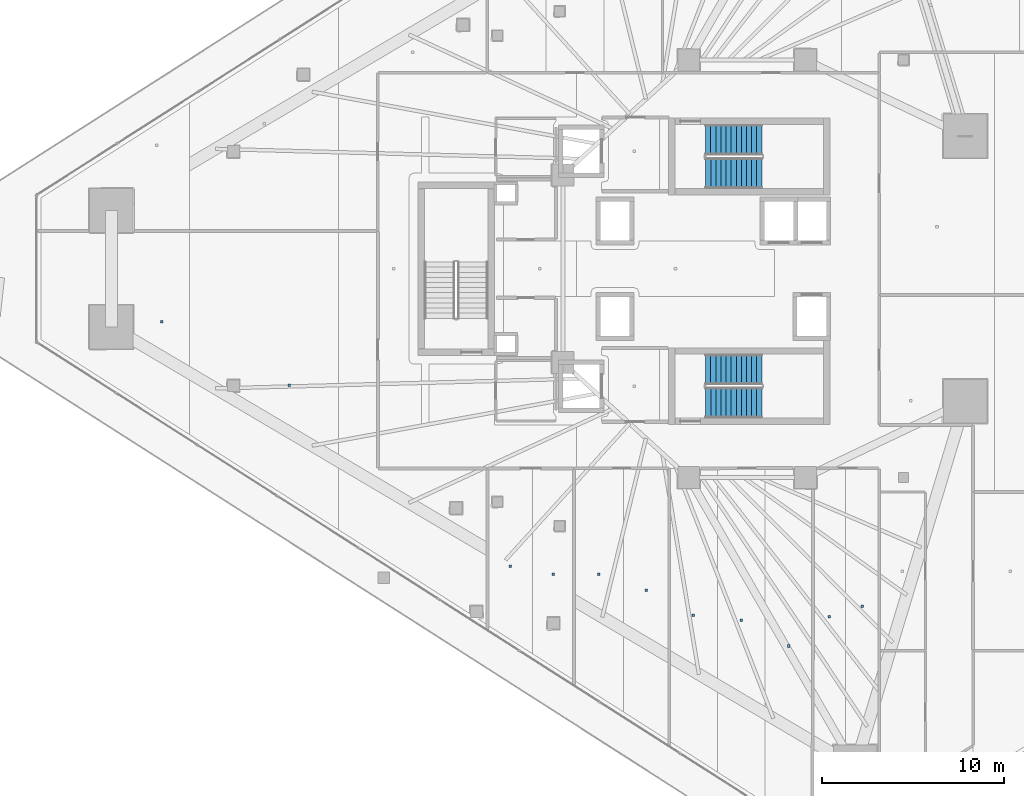
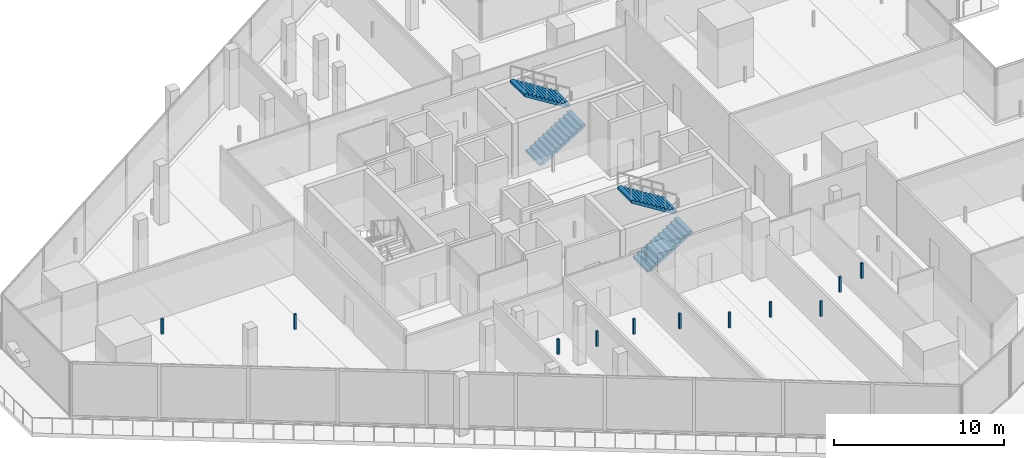
# One storey, part 31 of 44: 11 discrete accessories, 4 stair flights, 2 elements without a shape of their own.
"""IFC4 building model written with IfcOpenShell, lengths in metres."""

from ifc_helpers import new_model, si_unit, direction, frame, origin, origin_2d, place, context, subcontext, project, spatial, polyline, rectangle, outline, extrude, material, layer, layer_set, type_object, element, aggregate, save


model = new_model("IFC4")

# Units and contexts
model_context = context("Model", 3, precision=1e-05, world=origin(), true_north=direction((0.0, 1.0)))
body_context = subcontext(model_context, "Body", "Model", "MODEL_VIEW")
ifc_project = project(units=[si_unit("LENGTHUNIT", "METRE"), si_unit("AREAUNIT", "SQUARE_METRE"), si_unit("VOLUMEUNIT", "CUBIC_METRE"), si_unit("PLANEANGLEUNIT", "RADIAN"), si_unit("MASSUNIT", "GRAM", prefix="KILO")], contexts=[model_context])

# Site, building, storey
site_placement = place(None, origin())
site = spatial("IfcSite", under=ifc_project, at=site_placement, CompositionType="ELEMENT")
building_placement = place(site_placement, origin())
building = spatial("IfcBuilding", under=site, at=building_placement, Name="Qorvath Tower", CompositionType="ELEMENT")
storey_placement = place(building_placement, frame((0.0, 0.0, 78.60009765625)))
storey = spatial("IfcBuildingStorey", under=building, at=storey_placement, Name="L17", CompositionType="ELEMENT", Elevation=78.60009765625)

# Stair, stair flights
ifc_material_1 = material(Name="Concrete C50/60", Category="concrete")
stair_type = type_object("IfcStairType", Name="ST-H420", PredefinedType="HALF_TURN_STAIR", material=ifc_material_1)
stair_1_placement = place(storey_placement, origin())
stair_1 = element("IfcStair", 1, at=stair_1_placement, inside=storey, type_object=stair_type, Name="L17 Tower Exit Stair 1", PredefinedType="HALF_TURN_STAIR")
ifc_material_2 = material(Name="Concrete C50/60", Category="concrete")
ifc_layer = layer(ifc_material_2, 0.14990234375)
ifc_layer_set = layer_set([ifc_layer], Name="SF-H420")
stair_flight_type = type_object("IfcStairFlightType", Name="SF-H420", PredefinedType="STRAIGHT", material=ifc_layer_set)
stair_flight_1_placement = place(storey_placement, frame((-22.669921875, 5.239990234375, 0.0), z_axis=(0.0, 0.0, 1.0), x_axis=(1.0, 0.0, 0.0)))
stair_flight_1 = element("IfcStairFlight", 2, at=stair_flight_1_placement, type_object=stair_flight_type, Name="TS1 flight 1", NumberOfRisers=12, NumberOfTreads=11, PredefinedType="STRAIGHT", RiserHeight=0.175, TreadLength=0.28, context=body_context, shape_type="SweptSolid", body=[
    extrude(outline(polyline([(0.0, 0.0), (0.0, 0.175048828125), (0.280029296875, 0.175048828125), (0.280029296875, 0.35009765625), (0.56005859375, 0.35009765625), (0.56005859375, 0.52490234375), (0.840087890625, 0.52490234375), (0.840087890625, 0.699951171875), (1.1201171875, 0.699951171875), (1.1201171875, 0.875), (1.39990234375, 0.875), (1.39990234375, 1.050048828125), (1.679931640625, 1.050048828125), (1.679931640625, 1.22509765625), (1.9599609375, 1.22509765625), (1.9599609375, 1.39990234375), (2.239990234375, 1.39990234375), (2.239990234375, 1.574951171875), (2.52001953125, 1.574951171875), (2.52001953125, 1.75), (2.800048828125, 1.75), (2.800048828125, 1.925048828125), (3.080078125, 1.925048828125), (3.080078125, 2.10009765625), (3.080078125, 1.748291015625), (0.28271484375, 0.0), (0.0, 0.0)])), frame((0.0, 0.83984375, 0.0), z_axis=(0.0, -1.0, 0.0), x_axis=(1.0, 0.0, 0.0)), (0.0, 0.0, 1.0), 1.679931640625),
])
stair_flight_2_placement = place(storey_placement, frame((-19.590087890625, 7.070068359375, 2.099853515625), z_axis=(0.0, 0.0, 1.0), x_axis=(-1.0, 0.0, 0.0)))
stair_flight_2 = element("IfcStairFlight", 3, at=stair_flight_2_placement, type_object=stair_flight_type, Name="TS1 flight 2", NumberOfRisers=12, NumberOfTreads=11, PredefinedType="STRAIGHT", RiserHeight=0.175, TreadLength=0.28, context=body_context, shape_type="SweptSolid", body=[
    extrude(outline(polyline([(0.0, 0.0), (0.0, 0.175048828125), (0.280029296875, 0.175048828125), (0.280029296875, 0.35009765625), (0.56005859375, 0.35009765625), (0.56005859375, 0.52490234375), (0.840087890625, 0.52490234375), (0.840087890625, 0.699951171875), (1.1201171875, 0.699951171875), (1.1201171875, 0.875), (1.39990234375, 0.875), (1.39990234375, 1.050048828125), (1.679931640625, 1.050048828125), (1.679931640625, 1.22509765625), (1.9599609375, 1.22509765625), (1.9599609375, 1.39990234375), (2.239990234375, 1.39990234375), (2.239990234375, 1.574951171875), (2.52001953125, 1.574951171875), (2.52001953125, 1.75), (2.800048828125, 1.75), (2.800048828125, 1.925048828125), (3.080078125, 1.925048828125), (3.080078125, 2.10009765625), (3.080078125, 1.748291015625), (0.28271484375, 0.0), (0.0, 0.0)])), frame((0.0, 0.83984375, 0.0), z_axis=(0.0, -1.0, 0.0), x_axis=(1.0, 0.0, 0.0)), (0.0, 0.0, 1.0), 1.679931640625),
])
aggregate(stair_1, [stair_flight_1, stair_flight_2])

stair_2_placement = place(storey_placement, origin())
stair_2 = element("IfcStair", 4, at=stair_2_placement, inside=storey, type_object=stair_type, Name="L17 Tower Exit Stair 2", PredefinedType="HALF_TURN_STAIR")
stair_flight_3_placement = place(storey_placement, frame((-22.669921875, -7.360107421875, 0.0), z_axis=(0.0, 0.0, 1.0), x_axis=(1.0, 0.0, 0.0)))
stair_flight_3 = element("IfcStairFlight", 5, at=stair_flight_3_placement, type_object=stair_flight_type, Name="TS2 flight 1", NumberOfRisers=12, NumberOfTreads=11, PredefinedType="STRAIGHT", RiserHeight=0.175, TreadLength=0.28, context=body_context, shape_type="SweptSolid", body=[
    extrude(outline(polyline([(0.0, 0.0), (0.0, 0.175048828125), (0.280029296875, 0.175048828125), (0.280029296875, 0.35009765625), (0.56005859375, 0.35009765625), (0.56005859375, 0.52490234375), (0.840087890625, 0.52490234375), (0.840087890625, 0.699951171875), (1.1201171875, 0.699951171875), (1.1201171875, 0.875), (1.39990234375, 0.875), (1.39990234375, 1.050048828125), (1.679931640625, 1.050048828125), (1.679931640625, 1.22509765625), (1.9599609375, 1.22509765625), (1.9599609375, 1.39990234375), (2.239990234375, 1.39990234375), (2.239990234375, 1.574951171875), (2.52001953125, 1.574951171875), (2.52001953125, 1.75), (2.800048828125, 1.75), (2.800048828125, 1.925048828125), (3.080078125, 1.925048828125), (3.080078125, 2.10009765625), (3.080078125, 1.748291015625), (0.28271484375, 0.0), (0.0, 0.0)])), frame((0.0, 0.83984375, 0.0), z_axis=(0.0, -1.0, 0.0), x_axis=(1.0, 0.0, 0.0)), (0.0, 0.0, 1.0), 1.679931640625),
])
stair_flight_4_placement = place(storey_placement, frame((-19.590087890625, -5.530029296875, 2.099853515625), z_axis=(0.0, 0.0, 1.0), x_axis=(-1.0, 0.0, 0.0)))
stair_flight_4 = element("IfcStairFlight", 6, at=stair_flight_4_placement, type_object=stair_flight_type, Name="TS2 flight 2", NumberOfRisers=12, NumberOfTreads=11, PredefinedType="STRAIGHT", RiserHeight=0.175, TreadLength=0.28, context=body_context, shape_type="SweptSolid", body=[
    extrude(outline(polyline([(0.0, 0.0), (0.0, 0.175048828125), (0.280029296875, 0.175048828125), (0.280029296875, 0.35009765625), (0.56005859375, 0.35009765625), (0.56005859375, 0.52490234375), (0.840087890625, 0.52490234375), (0.840087890625, 0.699951171875), (1.1201171875, 0.699951171875), (1.1201171875, 0.875), (1.39990234375, 0.875), (1.39990234375, 1.050048828125), (1.679931640625, 1.050048828125), (1.679931640625, 1.22509765625), (1.9599609375, 1.22509765625), (1.9599609375, 1.39990234375), (2.239990234375, 1.39990234375), (2.239990234375, 1.574951171875), (2.52001953125, 1.574951171875), (2.52001953125, 1.75), (2.800048828125, 1.75), (2.800048828125, 1.925048828125), (3.080078125, 1.925048828125), (3.080078125, 2.10009765625), (3.080078125, 1.748291015625), (0.28271484375, 0.0), (0.0, 0.0)])), frame((0.0, 0.83984375, 0.0), z_axis=(0.0, -1.0, 0.0), x_axis=(1.0, 0.0, 0.0)), (0.0, 0.0, 1.0), 1.679931640625),
])
aggregate(stair_2, [stair_flight_3, stair_flight_4])

# Discrete accessories
ifc_material_3 = material(Name="Galvanised steel bracket", Category="steel")
discrete_accessory_type = type_object("IfcDiscreteAccessoryType", Name="DA-BRACKET", PredefinedType="BRACKET", material=ifc_material_3)
for number, where, z_axis, x_axis, name in (
    (7, (-33.404296875, -16.337158203125, 2.85986328125), (0.0, 0.0, 1.0), (1.0, 0.0, 0.0), "Acoustic Ceiling Suspension Hanger T1-L17-016"),
    (8, (-31.03271484375, -16.776123046875, 2.85986328125), (0.0, 0.0, 1.0), (1.0, 0.0, 0.0), "Acoustic Ceiling Suspension Hanger T1-L17-017"),
    (9, (-28.526123046875, -16.776611328125, 2.85986328125), (0.0, 0.0, 1.0), (1.0, 0.0, 0.0), "Acoustic Ceiling Suspension Hanger T1-L17-018"),
    (10, (-25.920166015625, -17.64404296875, 2.85986328125), (0.0, 0.0, 1.0), (1.0, 0.0, 0.0), "Acoustic Ceiling Suspension Hanger T1-L17-019"),
    (11, (-23.342529296875, -19.021240234375, 2.85986328125), (0.0, 0.0, 1.0), (1.0, 0.0, 0.0), "Acoustic Ceiling Suspension Hanger T1-L17-020"),
    (12, (-20.7197265625, -19.287109375, 2.85986328125), (0.0, 0.0, 1.0), (1.0, 0.0, 0.0), "Acoustic Ceiling Suspension Hanger T1-L17-021"),
    (13, (-18.1015625, -20.7041015625, 2.85986328125), (0.0, 0.0, 1.0), (1.0, 0.0, 0.0), "Acoustic Ceiling Suspension Hanger T1-L17-022"),
    (14, (-15.8916015625, -19.09912109375, 2.85986328125), (0.0, 0.0, 1.0), (1.0, 0.0, 0.0), "Acoustic Ceiling Suspension Hanger T1-L17-023"),
    (15, (-14.081787109375, -18.525634765625, 2.85986328125), (0.0, 0.0, 1.0), (1.0, 0.0, 0.0), "Acoustic Ceiling Suspension Hanger T1-L17-024"),
    (16, (-52.510986328125, -2.92138671875, 2.85986328125), (0.0, 0.0, 1.0), (1.0, 0.0, 0.0), "Acoustic Ceiling Suspension Hanger T1-L17-037"),
    (17, (-45.5166015625, -6.4033203125, 2.85986328125), (0.0, 0.0, 1.0), (1.0, 0.0, 0.0), "Acoustic Ceiling Suspension Hanger T1-L17-038"),
):
    element("IfcDiscreteAccessory", number, at=place(storey_placement, frame(where, z_axis=z_axis, x_axis=x_axis)), inside=storey, type_object=discrete_accessory_type, Name=name, PredefinedType="NOTDEFINED", context=body_context, shape_type="SweptSolid", body=[
        extrude(rectangle(XDim=0.139892578125, YDim=0.139892578125, at=origin_2d()), origin(), (0.0, 0.0, 1.0), 1.090087890625),
    ])

save(model, "model.ifc")
